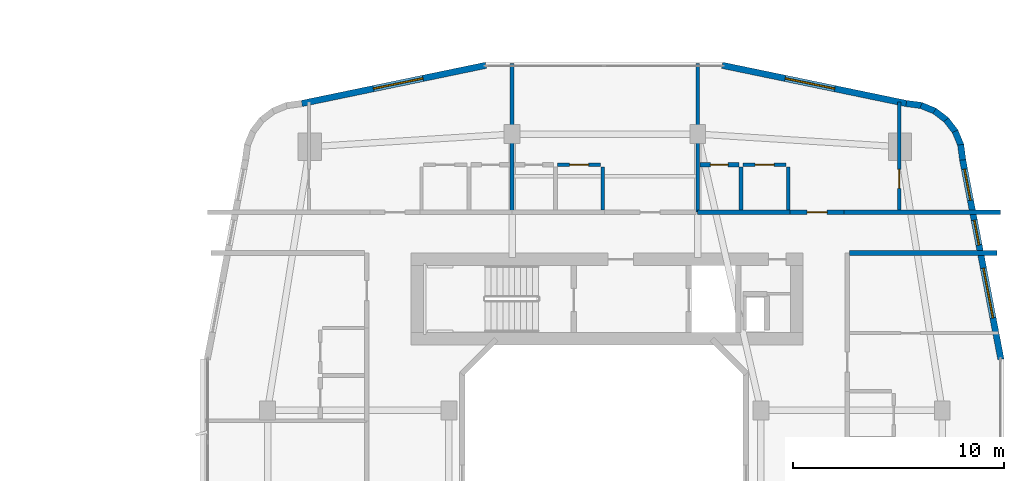
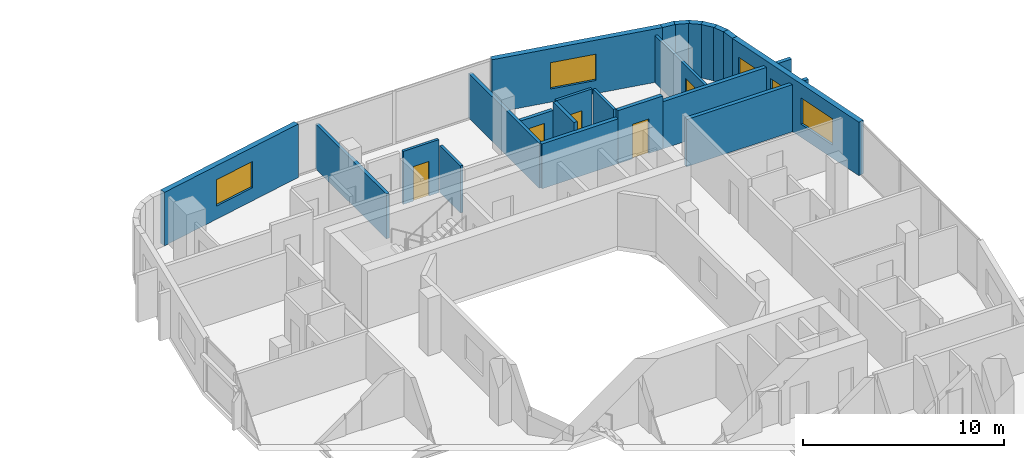
# One storey, part 21 of 27: 22 walls, 5 doors, 5 windows, 10 openings.
"""IFC4 building model written with IfcOpenShell, lengths in metres."""

from ifc_helpers import new_model, si_unit, derived_unit, direction, frame, frame_2d, origin, place, context, subcontext, project, spatial, rectangle, extrude, material, layer, layer_set, type_object, element, fill, save


model = new_model("IFC4")

# Units and contexts
model_context = context("Model", 3, precision=1e-05, world=origin(), true_north=direction((0.0, 1.0)))
body_context = subcontext(model_context, "Body", "Model", "MODEL_VIEW")
ifc_project = project(units=[si_unit("LENGTHUNIT", "METRE"), si_unit("AREAUNIT", "SQUARE_METRE"), si_unit("VOLUMEUNIT", "CUBIC_METRE"), si_unit("PLANEANGLEUNIT", "RADIAN"), si_unit("MASSUNIT", "GRAM", prefix="KILO"), derived_unit("THERMALTRANSMITTANCEUNIT", [(si_unit("POWERUNIT", "WATT"), 1), (si_unit("LENGTHUNIT", "METRE"), -2), (si_unit("THERMODYNAMICTEMPERATUREUNIT", "KELVIN"), -1)])], contexts=[model_context])

# Site, building, storey
site_placement = place(None, origin())
site = spatial("IfcSite", under=ifc_project, at=site_placement, CompositionType="ELEMENT")
building_placement = place(site_placement, origin())
building = spatial("IfcBuilding", under=site, at=building_placement, Name="Kivonza Crest Hotel", CompositionType="ELEMENT")
storey_placement = place(building_placement, frame((0.0, 0.0, 34.5)))
storey = spatial("IfcBuildingStorey", under=building, at=storey_placement, Name="L08", CompositionType="ELEMENT", Elevation=34.5)

# Walls
ifc_material_1 = material(Name="High-density acoustic masonry inter-tenancy wall", Category="masonry")
ifc_layer_1 = layer(ifc_material_1, 0.179931640625)
ifc_layer_set_1 = layer_set([ifc_layer_1], Name="High-density acoustic masonry inter-tenancy wall")
wall_type_1 = type_object("IfcWallType", Name="WL-ACOU-180", PredefinedType="SOLIDWALL", material=ifc_layer_set_1)
for number, where, z_axis, x_axis, name in (
    (1, (72.60009765625, 37.89990234375, 0.0), (0.0, 0.0, 1.0), (0.0, 1.0, 0.0), "L08 interior partition WA-L08-T2N-DIV1"),
    (2, (81.39990234375, 37.89990234375, 0.0), (0.0, 0.0, 1.0), (0.0, 1.0, 0.0), "L08 interior partition WA-L08-T2N-DIV2"),
):
    element("IfcWall", number, at=place(storey_placement, frame(where, z_axis=z_axis, x_axis=x_axis)), inside=storey, type_object=wall_type_1, Name=name, PredefinedType="SOLIDWALL", context=body_context, shape_type="SweptSolid", body=[
        extrude(rectangle(XDim=7.0400390625, YDim=0.179931640625, at=frame_2d((3.52001953125, 0.0))), origin(), (0.0, 0.0, 1.0), 2.72509765625),
    ])
ifc_material_2 = material(Name="Autoclaved aerated concrete blockwork", Category="masonry")
ifc_layer_2 = layer(ifc_material_2, 0.219970703125)
ifc_layer_set_2 = layer_set([ifc_layer_2], Name="Autoclaved aerated concrete blockwork")
wall_type_2 = type_object("IfcWallType", Name="WL-ACOU-220", PredefinedType="SOLIDWALL", material=ifc_layer_set_2)
wall_1_placement = place(storey_placement, frame((81.39990234375, 37.89990234375, 0.0), z_axis=(0.0, 0.0, 1.0), x_axis=(1.0, 0.0, 0.0)))
element("IfcWall", 3, at=wall_1_placement, inside=storey, type_object=wall_type_2, Name="L08 interior partition WA-L08-A03-LCORR", PredefinedType="SOLIDWALL", context=body_context, shape_type="SweptSolid", body=[
    extrude(rectangle(XDim=4.380126953125, YDim=0.219970703125, at=frame_2d((2.18994140625, 0.0))), origin(), (0.0, 0.0, 1.0), 2.72509765625),
])
wall_2_placement = place(storey_placement, frame((88.35009765625, 37.89990234375, 0.0), z_axis=(0.0, 0.0, 1.0), x_axis=(1.0, 0.0, 0.0)))
element("IfcWall", 4, at=wall_2_placement, inside=storey, type_object=wall_type_2, Name="L08 interior partition WA-L08-A03-RCORR", PredefinedType="SOLIDWALL", context=body_context, shape_type="SweptSolid", body=[
    extrude(rectangle(XDim=7.409912109375, YDim=0.219970703125, at=frame_2d((3.705078125, 0.0))), origin(), (0.0, 0.0, 1.0), 2.864990234375),
])

# Wall, opening, door
wall_3_placement = place(storey_placement, frame((85.780029296875, 37.89990234375, 0.0), z_axis=(0.0, 0.0, 1.0), x_axis=(1.0, 0.0, 0.0)))
wall_3 = element("IfcWall", 5, at=wall_3_placement, inside=storey, type_object=wall_type_2, Name="L08 interior partition WA-L08-A03-MCORR", PredefinedType="SOLIDWALL", context=body_context, shape_type="SweptSolid", body=[
    extrude(rectangle(XDim=2.570068359375, YDim=0.219970703125, at=frame_2d((1.28515625, 0.0))), origin(), (0.0, 0.0, 1.0), 3.219970703125),
])
opening_1_placement = place(wall_3_placement, frame((0.81005859375, 0.0, 0.0)))
opening_1 = element("IfcOpeningElement", 6, at=opening_1_placement, cuts=wall_3, Name="Opening DU-60", PredefinedType="OPENING", context=body_context, shape_type="SweptSolid", body=[
    extrude(rectangle(XDim=0.949951171875, YDim=2.10009765625, at=frame_2d((0.47509765625, 1.050048828125))), frame((0.0, 0.1201171875, 0.0), z_axis=(0.0, -1.0, 0.0), x_axis=(1.0, 0.0, 0.0)), (0.0, 0.0, 1.0), 0.239990234375),
])
ifc_material_3 = material(Name="Hardwood timber oak", Category="wood")
door_type_1 = type_object("IfcDoorType", Name="DR-UNIT-950", OperationType="NOTDEFINED", PredefinedType="DOOR", material=ifc_material_3)
door_1_placement = place(opening_1_placement, origin())
door_1 = element("IfcDoor", 7, at=door_1_placement, inside=storey, type_object=door_type_1, Name="L08 A03 apartment entrance fire door", OperationType="SINGLE_SWING_LEFT", OverallHeight=2.10009765625, OverallWidth=0.949951171875, PredefinedType="DOOR", context=body_context, shape_type="SweptSolid", body=[
    extrude(rectangle(XDim=0.949951171875, YDim=2.10009765625, at=frame_2d((0.47509765625, 1.050048828125))), frame((0.0, 0.02490234375, 0.0), z_axis=(0.0, -1.0, 0.0), x_axis=(1.0, 0.0, 0.0)), (0.0, 0.0, 1.0), 0.050048828125),
])
fill(opening_1, door_1)

# Wall
wall_4_placement = place(storey_placement, frame((88.60009765625, 35.9599609375, 0.0), z_axis=(0.0, 0.0, 1.0), x_axis=(1.0, 0.0, 0.0)))
element("IfcWall", 8, at=wall_4_placement, inside=storey, type_object=wall_type_2, Name="L08 interior partition WA-L08-T2E-ENDN", PredefinedType="SOLIDWALL", context=body_context, shape_type="SweptSolid", body=[
    extrude(rectangle(XDim=7.0, YDim=0.219970703125, at=frame_2d((3.5, 0.0))), origin(), (0.0, 0.0, 1.0), 2.864990234375),
])

# Wall, openings, windows
ifc_material_4 = material(Name="Precast concrete C40/50", Category="concrete")
ifc_layer_3 = layer(ifc_material_4, 0.300048828125)
ifc_layer_set_3 = layer_set([ifc_layer_3], Name="Precast concrete C40/50")
wall_type_3 = type_object("IfcWallType", Name="WL-EXT-300", PredefinedType="STANDARD", material=ifc_layer_set_3)
wall_5_placement = place(storey_placement, frame((95.782958984375, 30.91796875, 0.0), z_axis=(0.0, 0.0, 1.0), x_axis=(-0.188087874316, 0.982152203854, 0.0)))
wall_5 = element("IfcWall", 9, at=wall_5_placement, inside=storey, type_object=wall_type_3, Name="L08 T2 exterior insulated wall 18", PredefinedType="STANDARD", context=body_context, shape_type="SweptSolid", body=[
    extrude(rectangle(XDim=9.6337890625, YDim=0.300048828125, at=frame_2d((4.81689453125, 0.0))), origin(), (0.0, 0.0, 1.0), 3.25),
])
opening_2_placement = place(wall_5_placement, frame((1.9990234375, 0.0, 0.800048828125)))
opening_2 = element("IfcOpeningElement", 10, at=opening_2_placement, cuts=wall_5, Name="Opening WN-05", PredefinedType="OPENING", context=body_context, shape_type="SweptSolid", body=[
    extrude(rectangle(XDim=2.39990234375, YDim=1.60009765625, at=frame_2d((1.199951171875, 0.800048828125))), frame((0.0, 0.16015625, 0.0), z_axis=(0.0, -1.0, 0.0), x_axis=(1.0, 0.0, 0.0)), (0.0, 0.0, 1.0), 0.320068359375),
])
opening_3_placement = place(wall_5_placement, frame((5.52099609375, 0.0, 0.85009765625)))
opening_3 = element("IfcOpeningElement", 11, at=opening_3_placement, cuts=wall_5, Name="Opening WN-01", PredefinedType="OPENING", context=body_context, shape_type="SweptSolid", body=[
    extrude(rectangle(XDim=1.199951171875, YDim=1.5, at=frame_2d((0.60009765625, 0.75))), frame((0.0, 0.16015625, 0.0), z_axis=(0.0, -1.0, 0.0), x_axis=(1.0, 0.0, 0.0)), (0.0, 0.0, 1.0), 0.320068359375),
])
opening_4_placement = place(wall_5_placement, frame((7.681884765625, 0.0, 0.85009765625)))
opening_4 = element("IfcOpeningElement", 12, at=opening_4_placement, cuts=wall_5, Name="Opening WN-02", PredefinedType="OPENING", context=body_context, shape_type="SweptSolid", body=[
    extrude(rectangle(XDim=1.5, YDim=1.5, at=frame_2d((0.75, 0.75))), frame((0.0, 0.16015625, 0.0), z_axis=(0.0, -1.0, 0.0), x_axis=(1.0, 0.0, 0.0)), (0.0, 0.0, 1.0), 0.320068359375),
])
ifc_material_5 = material(Name="Thermally broken bronze aluminium and low-E double glazing", Category="aluminium")
window_type_1 = type_object("IfcWindowType", Name="WN-120x150", PartitioningType="SINGLE_PANEL", PredefinedType="WINDOW", material=ifc_material_5)
window_1_placement = place(opening_3_placement, origin())
window_1 = element("IfcWindow", 13, at=window_1_placement, inside=storey, type_object=window_type_1, Name="L08 T2 facade window 18 bay 2", OverallHeight=1.5, OverallWidth=1.199951171875, PartitioningType="SINGLE_PANEL", PredefinedType="WINDOW", context=body_context, shape_type="SweptSolid", body=[
    extrude(rectangle(XDim=1.199951171875, YDim=1.5, at=frame_2d((0.60009765625, 0.75))), frame((0.0, 0.030029296875, 0.0), z_axis=(0.0, -1.0, 0.0), x_axis=(1.0, 0.0, 0.0)), (0.0, 0.0, 1.0), 0.06005859375),
])
fill(opening_3, window_1)
window_type_2 = type_object("IfcWindowType", Name="WN-150x150", PartitioningType="DOUBLE_PANEL_VERTICAL", PredefinedType="WINDOW", material=ifc_material_5)
window_2_placement = place(opening_4_placement, origin())
window_2 = element("IfcWindow", 14, at=window_2_placement, inside=storey, type_object=window_type_2, Name="L08 T2 facade window 18 bay 3", OverallHeight=1.5, OverallWidth=1.5, PartitioningType="SINGLE_PANEL", PredefinedType="WINDOW", context=body_context, shape_type="SweptSolid", body=[
    extrude(rectangle(XDim=1.5, YDim=1.5, at=frame_2d((0.75, 0.75))), frame((0.0, 0.030029296875, 0.0), z_axis=(0.0, -1.0, 0.0), x_axis=(1.0, 0.0, 0.0)), (0.0, 0.0, 1.0), 0.06005859375),
])
fill(opening_4, window_2)
window_type_3 = type_object("IfcWindowType", Name="WN-240x160", PartitioningType="TRIPLE_PANEL_VERTICAL", PredefinedType="WINDOW", material=ifc_material_5)
window_3_placement = place(opening_2_placement, origin())
window_3 = element("IfcWindow", 15, at=window_3_placement, inside=storey, type_object=window_type_3, Name="L08 T2 facade window 18 bay 1", OverallHeight=1.60009765625, OverallWidth=2.39990234375, PartitioningType="SINGLE_PANEL", PredefinedType="WINDOW", context=body_context, shape_type="SweptSolid", body=[
    extrude(rectangle(XDim=2.39990234375, YDim=1.60009765625, at=frame_2d((1.199951171875, 0.800048828125))), frame((0.0, 0.030029296875, 0.0), z_axis=(0.0, -1.0, 0.0), x_axis=(1.0, 0.0, 0.0)), (0.0, 0.0, 1.0), 0.06005859375),
])
fill(opening_2, window_3)

# Walls
wall_6_placement = place(storey_placement, frame((93.971923828125, 40.373046875, 0.0), z_axis=(0.0, 0.0, 1.0), x_axis=(-0.130255288807, 0.991480488834, 0.0)))
element("IfcWall", 16, at=wall_6_placement, inside=storey, type_object=wall_type_3, Name="L08 T2 exterior insulated wall 19", PredefinedType="STANDARD", context=body_context, shape_type="SweptSolid", body=[
    extrude(rectangle(XDim=0.72900390625, YDim=0.300048828125, at=frame_2d((0.364501953125, 0.0))), origin(), (0.0, 0.0, 1.0), 3.25),
])
wall_7_placement = place(storey_placement, frame((93.89599609375, 41.044921875, 0.0), z_axis=(0.0, 0.0, 1.0), x_axis=(-0.383267045233, 0.923637576129, 0.0)))
element("IfcWall", 17, at=wall_7_placement, inside=storey, type_object=wall_type_3, Name="L08 T2 exterior insulated wall 20", PredefinedType="STANDARD", context=body_context, shape_type="SweptSolid", body=[
    extrude(rectangle(XDim=0.745849609375, YDim=0.300048828125, at=frame_2d((0.373046875, 0.0))), origin(), (0.0, 0.0, 1.0), 3.25),
])
for number, where, z_axis, x_axis, name in (
    (18, (93.64111328125, 41.68896484375, 0.0), (0.0, 0.0, 1.0), (-0.608603261071, 0.793474681772, 0.0), "L08 T2 exterior insulated wall 21"),
    (19, (93.22900390625, 42.24609375, 0.0), (0.0, 0.0, 1.0), (-0.79363269798, 0.608397189915, 0.0), "L08 T2 exterior insulated wall 22"),
):
    element("IfcWall", number, at=place(storey_placement, frame(where, z_axis=z_axis, x_axis=x_axis)), inside=storey, type_object=wall_type_3, Name=name, PredefinedType="STANDARD", context=body_context, shape_type="SweptSolid", body=[
        extrude(rectangle(XDim=0.74609375, YDim=0.300048828125, at=frame_2d((0.373046875, 0.0))), origin(), (0.0, 0.0, 1.0), 3.25),
    ])
wall_8_placement = place(storey_placement, frame((92.68603515625, 42.676025390625, 0.0), z_axis=(0.0, 0.0, 1.0), x_axis=(-0.923637576129, 0.383267045233, 0.0)))
element("IfcWall", 20, at=wall_8_placement, inside=storey, type_object=wall_type_3, Name="L08 T2 exterior insulated wall 23", PredefinedType="STANDARD", context=body_context, shape_type="SweptSolid", body=[
    extrude(rectangle(XDim=0.745849609375, YDim=0.300048828125, at=frame_2d((0.373046875, 0.0))), origin(), (0.0, 0.0, 1.0), 3.25),
])
wall_9_placement = place(storey_placement, frame((92.051025390625, 42.952880859375, 0.0), z_axis=(0.0, 0.0, 1.0), x_axis=(-0.991559404866, 0.129653178221, 0.0)))
element("IfcWall", 21, at=wall_9_placement, inside=storey, type_object=wall_type_3, Name="L08 T2 exterior insulated wall 24", PredefinedType="STANDARD", context=body_context, shape_type="SweptSolid", body=[
    extrude(rectangle(XDim=0.764404296875, YDim=0.300048828125, at=frame_2d((0.38232421875, 0.0))), origin(), (0.0, 0.0, 1.0), 3.25),
])

# Wall, opening, window
wall_10_placement = place(storey_placement, frame((91.298095703125, 43.051025390625, 0.0), z_axis=(0.0, 0.0, 1.0), x_axis=(-0.979128391325, 0.203242695569, 0.0)))
wall_10 = element("IfcWall", 22, at=wall_10_placement, inside=storey, type_object=wall_type_3, Name="L08 T2 exterior insulated wall 25", PredefinedType="STANDARD", context=body_context, shape_type="SweptSolid", body=[
    extrude(rectangle(XDim=8.92041015625, YDim=0.300048828125, at=frame_2d((4.460205078125, 0.0))), origin(), (0.0, 0.0, 1.0), 3.25),
])
opening_5_placement = place(wall_10_placement, frame((3.471923828125, 0.0, 0.800048828125)))
opening_5 = element("IfcOpeningElement", 23, at=opening_5_placement, cuts=wall_10, Name="Opening WN-05", PredefinedType="OPENING", context=body_context, shape_type="SweptSolid", body=[
    extrude(rectangle(XDim=2.39990234375, YDim=1.60009765625, at=frame_2d((1.199951171875, 0.800048828125))), frame((0.0, 0.16015625, 0.0), z_axis=(0.0, -1.0, 0.0), x_axis=(1.0, 0.0, 0.0)), (0.0, 0.0, 1.0), 0.320068359375),
])
window_4_placement = place(opening_5_placement, origin())
window_4 = element("IfcWindow", 24, at=window_4_placement, inside=storey, type_object=window_type_3, Name="L08 T2 facade window 25", OverallHeight=1.60009765625, OverallWidth=2.39990234375, PartitioningType="SINGLE_PANEL", PredefinedType="WINDOW", context=body_context, shape_type="SweptSolid", body=[
    extrude(rectangle(XDim=2.39990234375, YDim=1.60009765625, at=frame_2d((1.199951171875, 0.800048828125))), frame((0.0, 0.030029296875, 0.0), z_axis=(0.0, -1.0, 0.0), x_axis=(1.0, 0.0, 0.0)), (0.0, 0.0, 1.0), 0.06005859375),
])
fill(opening_5, window_4)

wall_11_placement = place(storey_placement, frame((71.35595703125, 44.864013671875, 0.0), z_axis=(0.0, 0.0, 1.0), x_axis=(-0.979127260729, -0.203248142175, 0.0)))
wall_11 = element("IfcWall", 25, at=wall_11_placement, inside=storey, type_object=wall_type_3, Name="L08 T2 exterior insulated wall 27", PredefinedType="STANDARD", context=body_context, shape_type="SweptSolid", body=[
    extrude(rectangle(XDim=8.920166015625, YDim=0.300048828125, at=frame_2d((4.4599609375, 0.0))), origin(), (0.0, 0.0, 1.0), 3.25),
])
opening_6_placement = place(wall_11_placement, frame((3.048095703125, 0.0, 0.800048828125)))
opening_6 = element("IfcOpeningElement", 26, at=opening_6_placement, cuts=wall_11, Name="Opening WN-05", PredefinedType="OPENING", context=body_context, shape_type="SweptSolid", body=[
    extrude(rectangle(XDim=2.39990234375, YDim=1.60009765625, at=frame_2d((1.199951171875, 0.800048828125))), frame((0.0, 0.16015625, 0.0), z_axis=(0.0, -1.0, 0.0), x_axis=(1.0, 0.0, 0.0)), (0.0, 0.0, 1.0), 0.320068359375),
])
window_5_placement = place(opening_6_placement, origin())
window_5 = element("IfcWindow", 27, at=window_5_placement, inside=storey, type_object=window_type_3, Name="L08 T2 facade window 27", OverallHeight=1.60009765625, OverallWidth=2.39990234375, PartitioningType="SINGLE_PANEL", PredefinedType="WINDOW", context=body_context, shape_type="SweptSolid", body=[
    extrude(rectangle(XDim=2.39990234375, YDim=1.60009765625, at=frame_2d((1.199951171875, 0.800048828125))), frame((0.0, 0.030029296875, 0.0), z_axis=(0.0, -1.0, 0.0), x_axis=(1.0, 0.0, 0.0)), (0.0, 0.0, 1.0), 0.06005859375),
])
fill(opening_6, window_5)

# Wall
ifc_material_6 = material(Name="Twin-stud acoustic gypsum board partition", Category="gypsum")
ifc_layer_4 = layer(ifc_material_6, 0.14990234375)
ifc_layer_set_4 = layer_set([ifc_layer_4], Name="Twin-stud acoustic gypsum board partition")
wall_type_4 = type_object("IfcWallType", Name="WL-PART-150", PredefinedType="PARTITIONING", material=ifc_layer_set_4)
wall_12_placement = place(storey_placement, frame((76.89990234375, 38.0, 0.0), z_axis=(0.0, 0.0, 1.0), x_axis=(0.0, 1.0, 0.0)))
element("IfcWall", 28, at=wall_12_placement, inside=storey, type_object=wall_type_4, Name="L08 interior partition WP-L08-A02-KF", PredefinedType="PARTITIONING", context=body_context, shape_type="SweptSolid", body=[
    extrude(rectangle(XDim=2.050048828125, YDim=0.14990234375, at=frame_2d((1.02490234375, 0.0))), origin(), (0.0, 0.0, 1.0), 2.864990234375),
])

# Wall, opening, door
wall_13_placement = place(storey_placement, frame((74.75, 40.14990234375, 0.0), z_axis=(0.0, 0.0, 1.0), x_axis=(1.0, 0.0, 0.0)))
wall_13 = element("IfcWall", 29, at=wall_13_placement, inside=storey, type_object=wall_type_4, Name="L08 interior partition WP-L08-A02-KSVC", PredefinedType="PARTITIONING", context=body_context, shape_type="SweptSolid", body=[
    extrude(rectangle(XDim=2.050048828125, YDim=0.14990234375, at=frame_2d((1.02490234375, 0.0))), origin(), (0.0, 0.0, 1.0), 3.219970703125),
])
opening_7_placement = place(wall_13_placement, frame((0.574951171875, 0.0, 0.0)))
opening_7 = element("IfcOpeningElement", 30, at=opening_7_placement, cuts=wall_13, Name="Opening DI-90", PredefinedType="OPENING", context=body_context, shape_type="SweptSolid", body=[
    extrude(rectangle(XDim=0.89990234375, YDim=2.10009765625, at=frame_2d((0.449951171875, 1.050048828125))), frame((0.0, 0.0849609375, 0.0), z_axis=(0.0, -1.0, 0.0), x_axis=(1.0, 0.0, 0.0)), (0.0, 0.0, 1.0), 0.169921875),
])
door_type_2 = type_object("IfcDoorType", Name="DR-INT-900", OperationType="NOTDEFINED", PredefinedType="DOOR", material=ifc_material_3)
door_2_placement = place(opening_7_placement, origin())
door_2 = element("IfcDoor", 31, at=door_2_placement, inside=storey, type_object=door_type_2, Name="L08 A02 apartment kitchen door", OperationType="SINGLE_SWING_RIGHT", OverallHeight=2.10009765625, OverallWidth=0.89990234375, PredefinedType="DOOR", context=body_context, shape_type="SweptSolid", body=[
    extrude(rectangle(XDim=0.89990234375, YDim=2.10009765625, at=frame_2d((0.449951171875, 1.050048828125))), frame((0.0, 0.02490234375, 0.0), z_axis=(0.0, -1.0, 0.0), x_axis=(1.0, 0.0, 0.0)), (0.0, 0.0, 1.0), 0.050048828125),
])
fill(opening_7, door_2)

wall_14_placement = place(storey_placement, frame((90.9599609375, 38.0, 0.0), z_axis=(0.0, 0.0, 1.0), x_axis=(0.0, 1.0, 0.0)))
wall_14 = element("IfcWall", 32, at=wall_14_placement, inside=storey, type_object=wall_type_4, Name="L08 interior partition WP-L08-A03-BDW1", PredefinedType="PARTITIONING", context=body_context, shape_type="SweptSolid", body=[
    extrude(rectangle(XDim=5.113037109375, YDim=0.14990234375, at=frame_2d((2.556640625, 0.0))), origin(), (0.0, 0.0, 1.0), 2.864990234375),
])
opening_8_placement = place(wall_14_placement, frame((1.030029296875, 0.0, 0.0)))
opening_8 = element("IfcOpeningElement", 33, at=opening_8_placement, cuts=wall_14, Name="Opening DI-90", PredefinedType="OPENING", context=body_context, shape_type="SweptSolid", body=[
    extrude(rectangle(XDim=0.89990234375, YDim=2.10009765625, at=frame_2d((0.449951171875, 1.050048828125))), frame((0.0, 0.0849609375, 0.0), z_axis=(0.0, -1.0, 0.0), x_axis=(1.0, 0.0, 0.0)), (0.0, 0.0, 1.0), 0.169921875),
])
door_3_placement = place(opening_8_placement, origin())
door_3 = element("IfcDoor", 34, at=door_3_placement, inside=storey, type_object=door_type_2, Name="L08 A03 bedroom 1 door", OperationType="SINGLE_SWING_RIGHT", OverallHeight=2.10009765625, OverallWidth=0.89990234375, PredefinedType="DOOR", context=body_context, shape_type="SweptSolid", body=[
    extrude(rectangle(XDim=0.89990234375, YDim=2.10009765625, at=frame_2d((0.449951171875, 1.050048828125))), frame((0.0, 0.02490234375, 0.0), z_axis=(0.0, -1.0, 0.0), x_axis=(1.0, 0.0, 0.0)), (0.0, 0.0, 1.0), 0.050048828125),
])
fill(opening_8, door_3)

# Wall
wall_15_placement = place(storey_placement, frame((85.699951171875, 38.0, 0.0), z_axis=(0.0, 0.0, 1.0), x_axis=(0.0, 1.0, 0.0)))
element("IfcWall", 35, at=wall_15_placement, inside=storey, type_object=wall_type_4, Name="L08 interior partition WP-L08-A03-KF", PredefinedType="PARTITIONING", context=body_context, shape_type="SweptSolid", body=[
    extrude(rectangle(XDim=2.050048828125, YDim=0.14990234375, at=frame_2d((1.02490234375, 0.0))), origin(), (0.0, 0.0, 1.0), 3.219970703125),
])

# Wall, opening, door
wall_16_placement = place(storey_placement, frame((83.550048828125, 40.14990234375, 0.0), z_axis=(0.0, 0.0, 1.0), x_axis=(1.0, 0.0, 0.0)))
wall_16 = element("IfcWall", 36, at=wall_16_placement, inside=storey, type_object=wall_type_4, Name="L08 interior partition WP-L08-A03-KSVC", PredefinedType="PARTITIONING", context=body_context, shape_type="SweptSolid", body=[
    extrude(rectangle(XDim=2.050048828125, YDim=0.14990234375, at=frame_2d((1.02490234375, 0.0))), origin(), (0.0, 0.0, 1.0), 3.219970703125),
])
opening_9_placement = place(wall_16_placement, frame((0.574951171875, 0.0, 0.0)))
opening_9 = element("IfcOpeningElement", 37, at=opening_9_placement, cuts=wall_16, Name="Opening DI-90", PredefinedType="OPENING", context=body_context, shape_type="SweptSolid", body=[
    extrude(rectangle(XDim=0.89990234375, YDim=2.10009765625, at=frame_2d((0.449951171875, 1.050048828125))), frame((0.0, 0.0849609375, 0.0), z_axis=(0.0, -1.0, 0.0), x_axis=(1.0, 0.0, 0.0)), (0.0, 0.0, 1.0), 0.169921875),
])
door_4_placement = place(opening_9_placement, origin())
door_4 = element("IfcDoor", 38, at=door_4_placement, inside=storey, type_object=door_type_2, Name="L08 A03 apartment kitchen door", OperationType="SINGLE_SWING_LEFT", OverallHeight=2.10009765625, OverallWidth=0.89990234375, PredefinedType="DOOR", context=body_context, shape_type="SweptSolid", body=[
    extrude(rectangle(XDim=0.89990234375, YDim=2.10009765625, at=frame_2d((0.449951171875, 1.050048828125))), frame((0.0, 0.02490234375, 0.0), z_axis=(0.0, -1.0, 0.0), x_axis=(1.0, 0.0, 0.0)), (0.0, 0.0, 1.0), 0.050048828125),
])
fill(opening_9, door_4)

# Wall
ifc_material_7 = material(Name="Moisture-resistant plumbing chase partition wall", Category="gypsum")
ifc_layer_5 = layer(ifc_material_7, 0.199951171875)
ifc_layer_set_5 = layer_set([ifc_layer_5], Name="Moisture-resistant plumbing chase partition wall")
wall_type_5 = type_object("IfcWallType", Name="WL-PLUMB-200", PredefinedType="PLUMBINGWALL", material=ifc_layer_set_5)
wall_17_placement = place(storey_placement, frame((83.449951171875, 38.0, 0.0), z_axis=(0.0, 0.0, 1.0), x_axis=(0.0, 1.0, 0.0)))
element("IfcWall", 39, at=wall_17_placement, inside=storey, type_object=wall_type_5, Name="L08 interior partition WW-L08-A03-BK", PredefinedType="PLUMBINGWALL", context=body_context, shape_type="SweptSolid", body=[
    extrude(rectangle(XDim=2.050048828125, YDim=0.199951171875, at=frame_2d((1.02490234375, 0.0))), origin(), (0.0, 0.0, 1.0), 3.219970703125),
])

# Wall, opening, door
wall_18_placement = place(storey_placement, frame((81.5, 40.14990234375, 0.0), z_axis=(0.0, 0.0, 1.0), x_axis=(1.0, 0.0, 0.0)))
wall_18 = element("IfcWall", 40, at=wall_18_placement, inside=storey, type_object=wall_type_5, Name="L08 interior partition WW-L08-A03-BSVC", PredefinedType="PLUMBINGWALL", context=body_context, shape_type="SweptSolid", body=[
    extrude(rectangle(XDim=1.85009765625, YDim=0.199951171875, at=frame_2d((0.925048828125, 0.0))), origin(), (0.0, 0.0, 1.0), 2.72509765625),
])
opening_10_placement = place(wall_18_placement, frame((0.5, 0.0, 0.0)))
opening_10 = element("IfcOpeningElement", 41, at=opening_10_placement, cuts=wall_18, Name="Opening DI-85", PredefinedType="OPENING", context=body_context, shape_type="SweptSolid", body=[
    extrude(rectangle(XDim=0.85009765625, YDim=2.10009765625, at=frame_2d((0.425048828125, 1.050048828125))), frame((0.0, 0.10986328125, 0.0), z_axis=(0.0, -1.0, 0.0), x_axis=(1.0, 0.0, 0.0)), (0.0, 0.0, 1.0), 0.219970703125),
])
door_type_3 = type_object("IfcDoorType", Name="DR-INT-850", OperationType="NOTDEFINED", PredefinedType="DOOR", material=ifc_material_3)
door_5_placement = place(opening_10_placement, origin())
door_5 = element("IfcDoor", 42, at=door_5_placement, inside=storey, type_object=door_type_3, Name="L08 A03 apartment bathroom door", OperationType="SINGLE_SWING_RIGHT", OverallHeight=2.10009765625, OverallWidth=0.85009765625, PredefinedType="DOOR", context=body_context, shape_type="SweptSolid", body=[
    extrude(rectangle(XDim=0.85009765625, YDim=2.10009765625, at=frame_2d((0.425048828125, 1.050048828125))), frame((0.0, 0.02490234375, 0.0), z_axis=(0.0, -1.0, 0.0), x_axis=(1.0, 0.0, 0.0)), (0.0, 0.0, 1.0), 0.050048828125),
])
fill(opening_10, door_5)

save(model, "model.ifc")
